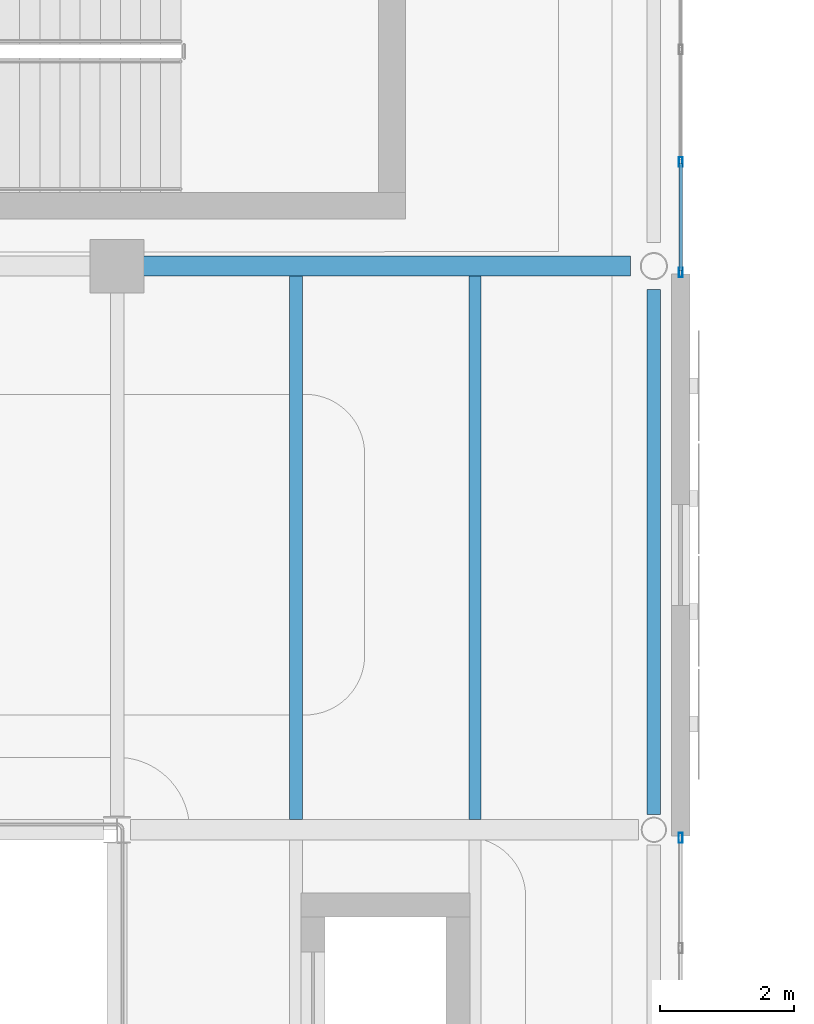
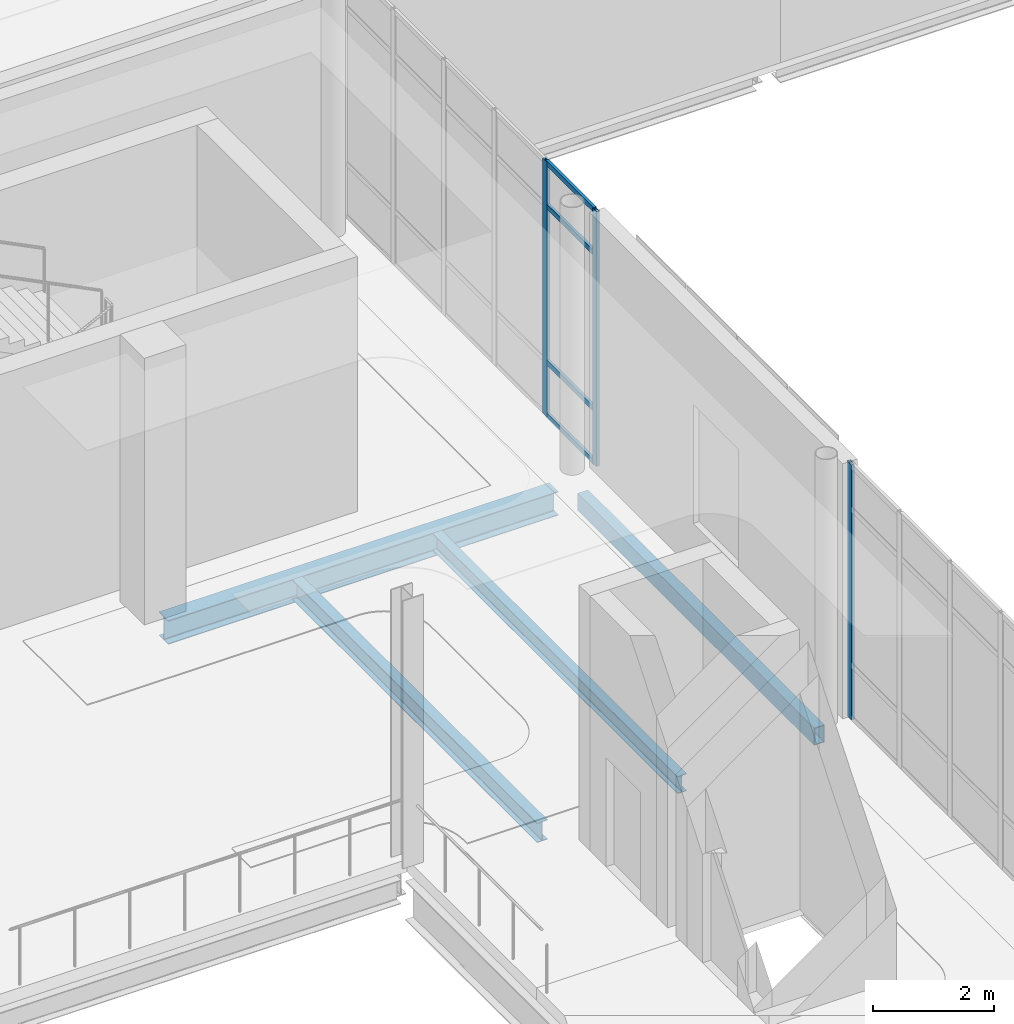
# One storey, part 41 of 110: 7 members, 4 beams, 2 elements without a shape of their own.
"""IFC4 building model written with IfcOpenShell, lengths in metres."""

from ifc_helpers import new_model, si_unit, direction, frame, origin, origin_2d, place, context, subcontext, project, spatial, hollow_rectangle, i_section, extrude, material, layer, layer_set, material_profile, profile_set, type_object, element, aggregate, save


model = new_model("IFC4")

# Units and contexts
model_context = context("Model", 3, precision=1e-05, world=origin(), true_north=direction((0.0, 1.0)))
body_context = subcontext(model_context, "Body", "Model", "MODEL_VIEW")
ifc_project = project(units=[si_unit("LENGTHUNIT", "METRE"), si_unit("AREAUNIT", "SQUARE_METRE"), si_unit("VOLUMEUNIT", "CUBIC_METRE"), si_unit("PLANEANGLEUNIT", "RADIAN"), si_unit("MASSUNIT", "GRAM", prefix="KILO"), si_unit("THERMODYNAMICTEMPERATUREUNIT", "KELVIN")], contexts=[model_context])

# Site, building, storey
site_placement = place(None, origin())
site = spatial("IfcSite", under=ifc_project, at=site_placement, CompositionType="ELEMENT")
building_placement = place(site_placement, origin())
building = spatial("IfcBuilding", under=site, at=building_placement, Name="Lustrewick Department Store", CompositionType="ELEMENT")
storey_placement = place(building_placement, frame((0.0, 0.0, 6.0)))
storey = spatial("IfcBuildingStorey", under=building, at=storey_placement, Name="L02", CompositionType="ELEMENT", Elevation=6.0)

# Beams
ifc_material_1 = material(Name="Structural steel Q355B", Category="steel")
ifc_material_profile_1 = material_profile(ifc_material_1, i_section(OverallWidth=0.199951171875, OverallDepth=0.39990234375, WebThickness=0.008056640625, FlangeThickness=0.012939453125, FilletRadius=0.013916015625, at=origin_2d()), Name="HN 400x200x8x13")
ifc_profile_set_1 = profile_set([ifc_material_profile_1], Name="Structural steel Q355B")
beam_type_1 = type_object("IfcBeamType", Name="B05", PredefinedType="JOIST", material=ifc_profile_set_1)
beam_1_placement = place(storey_placement, frame((145.466796875, 33.75, -0.455078125), z_axis=(0.0, 1.0, 0.0), x_axis=(-1.0, 0.0, 0.0)))
element("IfcBeam", 1, at=beam_1_placement, inside=storey, type_object=beam_type_1, Name="L02 V3 Secondary Joist B05", PredefinedType="JOIST", context=body_context, shape_type="SweptSolid", body=[
    extrude(i_section(OverallWidth=0.199951171875, OverallDepth=0.39990234375, WebThickness=0.008056640625, FlangeThickness=0.012939453125, FilletRadius=0.013916015625, at=origin_2d()), origin(), (0.0, 0.0, 1.0), 8.10009765625),
])
ifc_material_profile_2 = material_profile(ifc_material_1, i_section(OverallWidth=0.175048828125, OverallDepth=0.35009765625, WebThickness=0.007080078125, FlangeThickness=0.010986328125, FilletRadius=0.012939453125, at=origin_2d()), Name="HN 350x175x7x11")
ifc_profile_set_2 = profile_set([ifc_material_profile_2], Name="Structural steel Q355B")
beam_type_2 = type_object("IfcBeamType", Name="B09", PredefinedType="JOIST", material=ifc_profile_set_2)
beam_2_placement = place(storey_placement, frame((148.13330078125, 33.75, -0.429931640625), z_axis=(0.0, 1.0, 0.0), x_axis=(-1.0, 0.0, 0.0)))
element("IfcBeam", 2, at=beam_2_placement, inside=storey, type_object=beam_type_2, Name="L02 V3 Secondary Joist B09", PredefinedType="JOIST", context=body_context, shape_type="SweptSolid", body=[
    extrude(i_section(OverallWidth=0.175048828125, OverallDepth=0.35009765625, WebThickness=0.007080078125, FlangeThickness=0.010986328125, FilletRadius=0.012939453125, at=origin_2d()), origin(), (0.0, 0.0, 1.0), 8.10009765625),
])

# Curtain wall, member
ifc_material_2 = material(Name="Thermally broken aluminium 6063-T5", Category="aluminium")
ifc_layer_1 = layer(ifc_material_2, 0.14990234375, Name="Thermally broken aluminium 6063-T5")
ifc_layer_set_1 = layer_set([ifc_layer_1], Name="Thermally broken aluminium 6063-T5")
curtain_wall_type_1 = type_object("IfcCurtainWallType", Name="CW05", PredefinedType="NOTDEFINED", material=ifc_layer_set_1)
curtain_wall_1_placement = place(storey_placement, origin())
curtain_wall_1 = element("IfcCurtainWall", 3, at=curtain_wall_1_placement, inside=storey, type_object=curtain_wall_type_1, Name="L02 V3 Curtain Wall CW05", PredefinedType="NOTDEFINED")
ifc_material_profile_3 = material_profile(ifc_material_2, hollow_rectangle(XDim=0.06005859375, YDim=0.14990234375, WallThickness=0.00341796875, at=origin_2d()), Name="ALU-M 60x150x3.5")
ifc_profile_set_3 = profile_set([ifc_material_profile_3], Name="Thermally broken aluminium 6063-T5")
member_type_1 = type_object("IfcMemberType", Name="CW05-M1", PredefinedType="MULLION", material=ifc_profile_set_3)
member_1_placement = place(storey_placement, frame((151.199951171875, 33.47998046875, 0.0), z_axis=(0.0, 0.0, 1.0), x_axis=(-1.0, 0.0, 0.0)))
member_1 = element("IfcMember", 4, at=member_1_placement, type_object=member_type_1, Name="CW05 mullion 6", PredefinedType="MULLION", context=body_context, shape_type="SweptSolid", body=[
    extrude(hollow_rectangle(XDim=0.06005859375, YDim=0.14990234375, WallThickness=0.00341796875, at=origin_2d()), origin(), (0.0, 0.0, 1.0), 5.14501953125),
])
aggregate(curtain_wall_1, [member_1])

# Curtain wall, members
ifc_layer_2 = layer(ifc_material_2, 0.139892578125, Name="Thermally broken aluminium 6063-T5")
ifc_layer_set_2 = layer_set([ifc_layer_2], Name="Thermally broken aluminium 6063-T5")
curtain_wall_type_2 = type_object("IfcCurtainWallType", Name="CW06", PredefinedType="NOTDEFINED", material=ifc_layer_set_2)
curtain_wall_2_placement = place(storey_placement, origin())
curtain_wall_2 = element("IfcCurtainWall", 5, at=curtain_wall_2_placement, inside=storey, type_object=curtain_wall_type_2, Name="L02 V3 Curtain Wall CW06", PredefinedType="NOTDEFINED")
ifc_material_profile_4 = material_profile(ifc_material_2, hollow_rectangle(XDim=0.054931640625, YDim=0.139892578125, WallThickness=0.00341796875, at=origin_2d()), Name="ALU-M 55x140x3.5")
ifc_profile_set_4 = profile_set([ifc_material_profile_4], Name="Thermally broken aluminium 6063-T5")
member_type_2 = type_object("IfcMemberType", Name="CW06-M1", PredefinedType="MULLION", material=ifc_profile_set_4)
member_2_placement = place(storey_placement, frame((151.199951171875, 41.907470703125, 0.0), z_axis=(0.0, 0.0, 1.0), x_axis=(-1.0, 0.0, 0.0)))
member_2 = element("IfcMember", 6, at=member_2_placement, type_object=member_type_2, Name="CW06 mullion 1", PredefinedType="MULLION", context=body_context, shape_type="SweptSolid", body=[
    extrude(hollow_rectangle(XDim=0.054931640625, YDim=0.139892578125, WallThickness=0.00341796875, at=origin_2d()), origin(), (0.0, 0.0, 1.0), 5.14501953125),
])
member_3_placement = place(storey_placement, frame((151.199951171875, 43.553955078125, 0.0), z_axis=(0.0, 0.0, 1.0), x_axis=(-1.0, 0.0, 0.0)))
member_3 = element("IfcMember", 7, at=member_3_placement, type_object=member_type_2, Name="CW06 mullion 2", PredefinedType="MULLION", context=body_context, shape_type="SweptSolid", body=[
    extrude(hollow_rectangle(XDim=0.054931640625, YDim=0.139892578125, WallThickness=0.00341796875, at=origin_2d()), origin(), (0.0, 0.0, 1.0), 5.14501953125),
])
ifc_material_profile_5 = material_profile(ifc_material_2, hollow_rectangle(XDim=0.054931640625, YDim=0.10009765625, WallThickness=0.0029296875, at=origin_2d()), Name="ALU-T 55x100x3")
ifc_profile_set_5 = profile_set([ifc_material_profile_5], Name="Thermally broken aluminium 6063-T5")
member_type_3 = type_object("IfcMemberType", Name="CW06-T1", PredefinedType="USERDEFINED", material=ifc_profile_set_5)
member_4_placement = place(storey_placement, frame((151.199951171875, 41.93505859375, 0.027587890625), z_axis=(0.0, 1.0, 0.0), x_axis=(-1.0, 0.0, 0.0)))
member_4 = element("IfcMember", 8, at=member_4_placement, type_object=member_type_3, Name="CW06 transom 1.1", ObjectType="TRANSOM", PredefinedType="USERDEFINED", context=body_context, shape_type="SweptSolid", body=[
    extrude(hollow_rectangle(XDim=0.054931640625, YDim=0.10009765625, WallThickness=0.0029296875, at=origin_2d()), origin(), (0.0, 0.0, 1.0), 1.591552734375),
])
member_5_placement = place(storey_placement, frame((151.199951171875, 41.93505859375, 1.10009765625), z_axis=(0.0, 1.0, 0.0), x_axis=(-1.0, 0.0, 0.0)))
member_5 = element("IfcMember", 9, at=member_5_placement, type_object=member_type_3, Name="CW06 transom 1.2", ObjectType="TRANSOM", PredefinedType="USERDEFINED", context=body_context, shape_type="SweptSolid", body=[
    extrude(hollow_rectangle(XDim=0.054931640625, YDim=0.10009765625, WallThickness=0.0029296875, at=origin_2d()), origin(), (0.0, 0.0, 1.0), 1.591552734375),
])
member_6_placement = place(storey_placement, frame((151.199951171875, 41.93505859375, 4.2451171875), z_axis=(0.0, 1.0, 0.0), x_axis=(-1.0, 0.0, 0.0)))
member_6 = element("IfcMember", 10, at=member_6_placement, type_object=member_type_3, Name="CW06 transom 1.3", ObjectType="TRANSOM", PredefinedType="USERDEFINED", context=body_context, shape_type="SweptSolid", body=[
    extrude(hollow_rectangle(XDim=0.054931640625, YDim=0.10009765625, WallThickness=0.0029296875, at=origin_2d()), origin(), (0.0, 0.0, 1.0), 1.591552734375),
])
member_7_placement = place(storey_placement, frame((151.199951171875, 41.93505859375, 5.117431640625), z_axis=(0.0, 1.0, 0.0), x_axis=(-1.0, 0.0, 0.0)))
member_7 = element("IfcMember", 11, at=member_7_placement, type_object=member_type_3, Name="CW06 transom 1.4", ObjectType="TRANSOM", PredefinedType="USERDEFINED", context=body_context, shape_type="SweptSolid", body=[
    extrude(hollow_rectangle(XDim=0.054931640625, YDim=0.10009765625, WallThickness=0.0029296875, at=origin_2d()), origin(), (0.0, 0.0, 1.0), 1.591552734375),
])
aggregate(curtain_wall_2, [member_2, member_3, member_4, member_5, member_6, member_7])

# Beams
ifc_material_profile_6 = material_profile(ifc_material_1, i_section(OverallWidth=0.300048828125, OverallDepth=0.48193359375, WebThickness=0.010986328125, FlangeThickness=0.014892578125, FilletRadius=0.02197265625, at=origin_2d()), Name="HM 482x300x11x15")
ifc_profile_set_6 = profile_set([ifc_material_profile_6], Name="Structural steel Q355B")
beam_type_3 = type_object("IfcBeamType", Name="G20", PredefinedType="BEAM", material=ifc_profile_set_6)
beam_3_placement = place(storey_placement, frame((143.0, 42.0, -0.49609375), z_axis=(1.0, 0.0, 0.0), x_axis=(0.0, 1.0, 0.0)))
element("IfcBeam", 12, at=beam_3_placement, inside=storey, type_object=beam_type_3, Name="L02 V3 Girder G20", PredefinedType="BEAM", context=body_context, shape_type="SweptSolid", body=[
    extrude(i_section(OverallWidth=0.300048828125, OverallDepth=0.48193359375, WebThickness=0.010986328125, FlangeThickness=0.014892578125, FilletRadius=0.02197265625, at=origin_2d()), origin(), (0.0, 0.0, 1.0), 7.449951171875),
])
ifc_material_3 = material(Name="Structural steel Q355C", Category="steel")
ifc_material_profile_7 = material_profile(ifc_material_3, hollow_rectangle(XDim=0.199951171875, YDim=0.35009765625, WallThickness=0.011962890625, at=origin_2d()), Name="RHS 350x200x12")
ifc_profile_set_7 = profile_set([ifc_material_profile_7], Name="Structural steel Q355C")
beam_type_4 = type_object("IfcBeamType", Name="SP03", PredefinedType="SPANDREL", material=ifc_profile_set_7)
beam_4_placement = place(storey_placement, frame((150.800048828125, 33.82861328125, -0.429931640625), z_axis=(0.0, 1.0, 0.0), x_axis=(-1.0, 0.0, 0.0)))
element("IfcBeam", 13, at=beam_4_placement, inside=storey, type_object=beam_type_4, Name="L02 V3 Girder SP03", PredefinedType="SPANDREL", context=body_context, shape_type="SweptSolid", body=[
    extrude(hollow_rectangle(XDim=0.199951171875, YDim=0.35009765625, WallThickness=0.011962890625, at=origin_2d()), origin(), (0.0, 0.0, 1.0), 7.8212890625),
])

save(model, "model.ifc")
